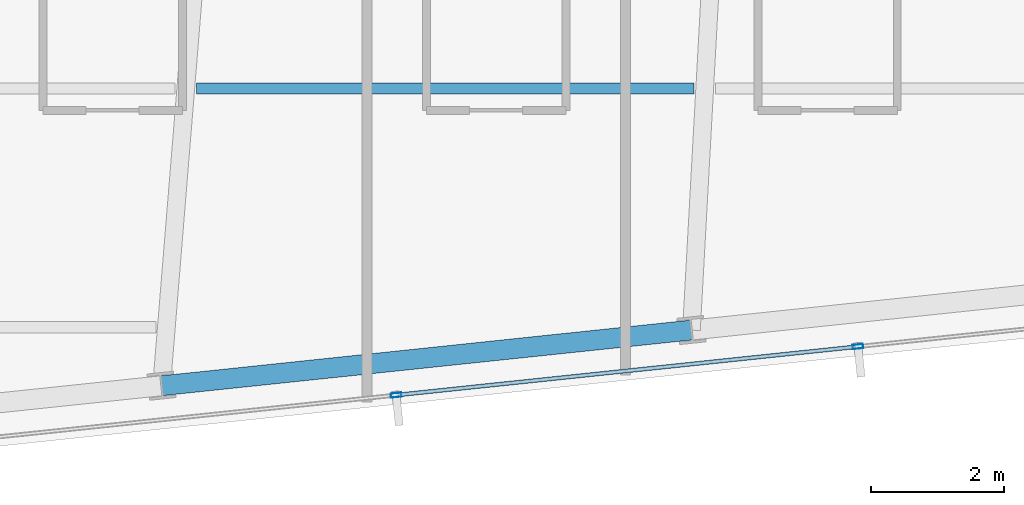
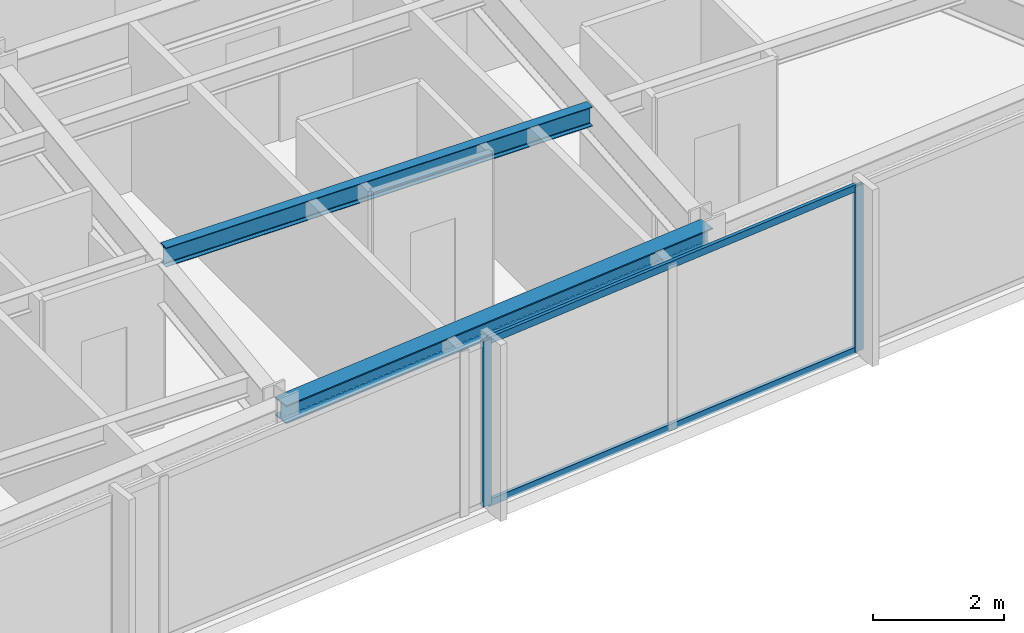
# One storey, part 14 of 33: 4 members, 2 beams, 1 element without a shape of its own.
"""IFC4 building model written with IfcOpenShell, lengths in metres."""

from ifc_helpers import new_model, si_unit, direction, frame, origin, origin_2d, place, context, subcontext, project, spatial, hollow_rectangle, i_section, extrude, material, material_profile, profile_set, type_object, element, aggregate, save


model = new_model("IFC4")

# Units and contexts
model_context = context("Model", 3, precision=1e-05, world=origin(), true_north=direction((0.0, 1.0)))
body_context = subcontext(model_context, "Body", "Model", "MODEL_VIEW")
ifc_project = project(units=[si_unit("LENGTHUNIT", "METRE"), si_unit("AREAUNIT", "SQUARE_METRE"), si_unit("VOLUMEUNIT", "CUBIC_METRE"), si_unit("PLANEANGLEUNIT", "RADIAN"), si_unit("MASSUNIT", "GRAM", prefix="KILO")], contexts=[model_context])

# Site, building, storey
site_placement = place(None, origin())
site = spatial("IfcSite", under=ifc_project, at=site_placement, CompositionType="ELEMENT")
building_placement = place(site_placement, origin())
building = spatial("IfcBuilding", under=site, at=building_placement, Name="Yelkora Congress Tower", CompositionType="ELEMENT")
storey_placement = place(building_placement, frame((0.0, 0.0, 240.800048828125)))
storey = spatial("IfcBuildingStorey", under=building, at=storey_placement, Name="L67", CompositionType="ELEMENT", Elevation=240.800048828125)

# Beams
ifc_material_1 = material(Name="Steel S355J2", Category="steel")
ifc_material_profile_1 = material_profile(ifc_material_1, i_section(OverallWidth=0.169921875, OverallDepth=0.360107421875, WebThickness=0.008056640625, FlangeThickness=0.0126953125, FilletRadius=0.01806640625, at=origin_2d()), Name="IPE 360")
ifc_profile_set_1 = profile_set([ifc_material_profile_1], Name="Steel S355J2")
beam_type_1 = type_object("IfcBeamType", Name="BM-JOIST-IPE360", PredefinedType="JOIST", material=ifc_profile_set_1)
beam_1_placement = place(storey_placement, frame((45.791259765625, 19.678466796875, 2.89990234375), z_axis=(1.0, 0.0, 0.0), x_axis=(0.0, 1.0, 0.0)))
element("IfcBeam", 1, at=beam_1_placement, inside=storey, type_object=beam_type_1, Name="L67 Composite Floor Joist 6", PredefinedType="JOIST", context=body_context, shape_type="SweptSolid", body=[
    extrude(i_section(OverallWidth=0.169921875, OverallDepth=0.360107421875, WebThickness=0.008056640625, FlangeThickness=0.0126953125, FilletRadius=0.01806640625, at=origin_2d()), origin(), (0.0, 0.0, 1.0), 7.505126953125),
])
ifc_material_profile_2 = material_profile(ifc_material_1, i_section(OverallWidth=0.300048828125, OverallDepth=0.340087890625, WebThickness=0.011962890625, FlangeThickness=0.021484375, FilletRadius=0.027099609375, at=origin_2d()), Name="HEB 340")
ifc_profile_set_2 = profile_set([ifc_material_profile_2], Name="Steel S355J2")
beam_type_2 = type_object("IfcBeamType", Name="BM-SPAN-HEB340", PredefinedType="SPANDREL", material=ifc_profile_set_2)
beam_2_placement = place(storey_placement, frame((45.26708984375, 15.197509765625, 2.909912109375), z_axis=(0.994520097542, 0.104545567032, 0.0), x_axis=(-0.104545567032, 0.994520097542, 0.0)))
element("IfcBeam", 2, at=beam_2_placement, inside=storey, type_object=beam_type_2, Name="L67 Perimeter Beam 6", PredefinedType="SPANDREL", context=body_context, shape_type="SweptSolid", body=[
    extrude(i_section(OverallWidth=0.300048828125, OverallDepth=0.340087890625, WebThickness=0.011962890625, FlangeThickness=0.021484375, FilletRadius=0.027099609375, at=origin_2d()), origin(), (0.0, 0.0, 1.0), 8.033203125),
])

# Curtain wall, members
ifc_material_2 = material(Name="Anodised aluminium and insulated glass", Category="aluminium")
curtain_wall_type = type_object("IfcCurtainWallType", Name="CW-SYS-B4", PredefinedType="NOTDEFINED", material=ifc_material_2)
curtain_wall_placement = place(storey_placement, origin())
curtain_wall = element("IfcCurtainWall", 3, at=curtain_wall_placement, inside=storey, type_object=curtain_wall_type, Name="L67 Unitised Curtain Wall 20", PredefinedType="NOTDEFINED")
ifc_material_3 = material(Name="Anodised aluminium 6063-T6", Category="aluminium")
ifc_material_profile_3 = material_profile(ifc_material_3, hollow_rectangle(XDim=0.06494140625, YDim=0.159912109375, WallThickness=0.00390625, at=origin_2d()), Name="ALU 65x160x4")
ifc_profile_set_3 = profile_set([ifc_material_profile_3], Name="Anodised aluminium 6063-T6")
member_type_1 = type_object("IfcMemberType", Name="MEM-ML-B4", PredefinedType="MULLION", material=ifc_profile_set_3)
member_1_placement = place(storey_placement, frame((55.76708984375, 15.788330078125, 0.0), z_axis=(0.0, 0.0, 1.0), x_axis=(0.104526664994, -0.994522084373, 0.0)))
member_1 = element("IfcMember", 4, at=member_1_placement, type_object=member_type_1, Name="CW-B4 mullion 3", PredefinedType="MULLION", context=body_context, shape_type="SweptSolid", body=[
    extrude(hollow_rectangle(XDim=0.06494140625, YDim=0.159912109375, WallThickness=0.00390625, at=origin_2d()), origin(), (0.0, 0.0, 1.0), 3.079833984375),
])
member_2_placement = place(storey_placement, frame((48.802490234375, 15.056396484375, 0.0), z_axis=(0.0, 0.0, 1.0), x_axis=(0.104526664994, -0.994522084373, 0.0)))
member_2 = element("IfcMember", 5, at=member_2_placement, type_object=member_type_1, Name="CW-B4 mullion 4", PredefinedType="MULLION", context=body_context, shape_type="SweptSolid", body=[
    extrude(hollow_rectangle(XDim=0.06494140625, YDim=0.159912109375, WallThickness=0.00390625, at=origin_2d()), origin(), (0.0, 0.0, 1.0), 3.079833984375),
])
ifc_material_profile_4 = material_profile(ifc_material_3, hollow_rectangle(XDim=0.06005859375, YDim=0.1298828125, WallThickness=0.00390625, at=origin_2d()), Name="ALU 60x130x4")
ifc_profile_set_4 = profile_set([ifc_material_profile_4], Name="Anodised aluminium 6063-T6")
member_type_2 = type_object("IfcMemberType", Name="MEM-TR-B4", PredefinedType="USERDEFINED", material=ifc_profile_set_4)
member_3_placement = place(storey_placement, frame((55.73486328125, 15.784912109375, 0.030029296875), z_axis=(-0.99452356298, -0.104512595784, 0.0), x_axis=(0.104512595784, -0.99452356298, 0.0)))
member_3 = element("IfcMember", 6, at=member_3_placement, type_object=member_type_2, Name="CW-B4 transom 3.1", ObjectType="TRANSOM", PredefinedType="USERDEFINED", context=body_context, shape_type="SweptSolid", body=[
    extrude(hollow_rectangle(XDim=0.06005859375, YDim=0.1298828125, WallThickness=0.00390625, at=origin_2d()), origin(), (0.0, 0.0, 1.0), 6.93798828125),
])
member_4_placement = place(storey_placement, frame((55.73486328125, 15.784912109375, 3.050048828125), z_axis=(-0.99452356298, -0.104512595784, 0.0), x_axis=(0.104512595784, -0.99452356298, 0.0)))
member_4 = element("IfcMember", 7, at=member_4_placement, type_object=member_type_2, Name="CW-B4 transom 3.2", ObjectType="TRANSOM", PredefinedType="USERDEFINED", context=body_context, shape_type="SweptSolid", body=[
    extrude(hollow_rectangle(XDim=0.06005859375, YDim=0.1298828125, WallThickness=0.00390625, at=origin_2d()), origin(), (0.0, 0.0, 1.0), 6.93798828125),
])
aggregate(curtain_wall, [member_1, member_2, member_3, member_4])

save(model, "model.ifc")
